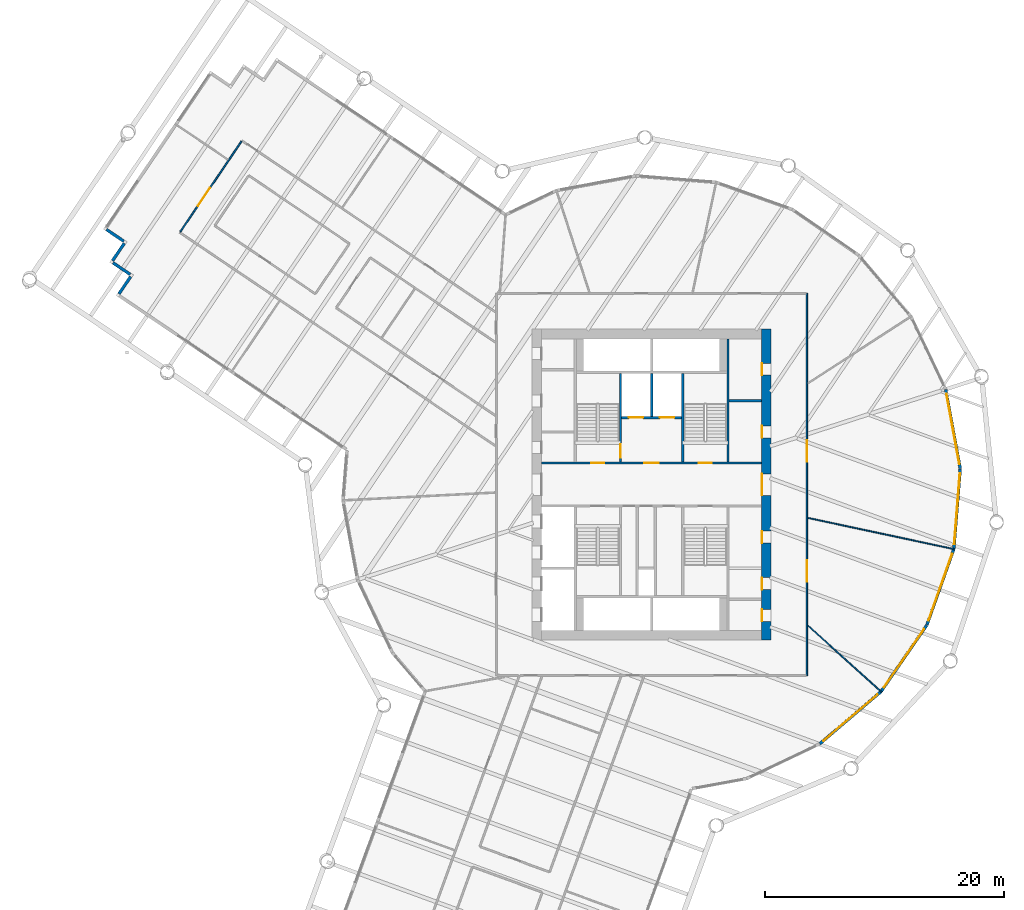
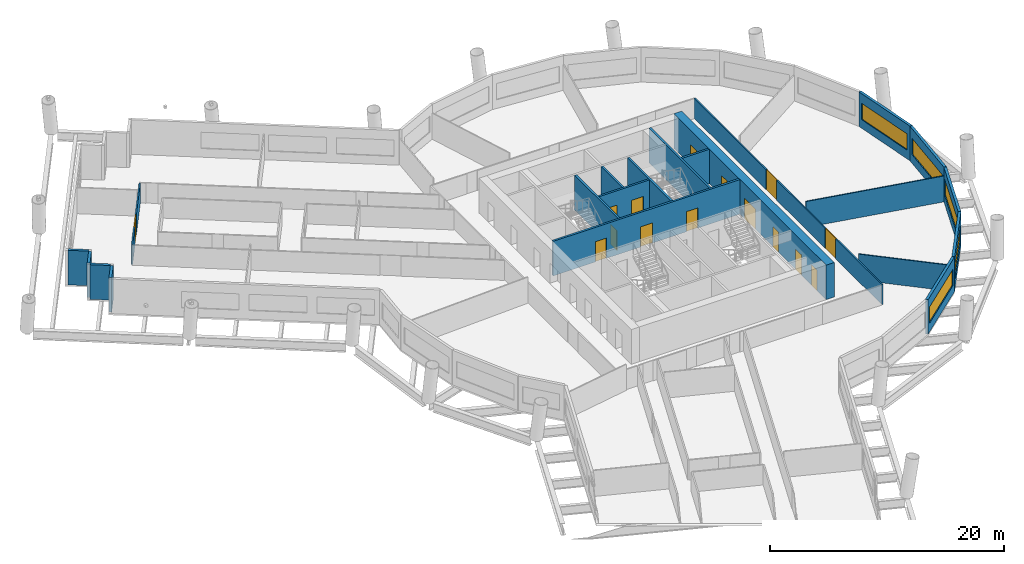
# One storey, part 5 of 13: 21 walls, 15 doors, 5 windows, 20 openings.
"""IFC4 building model written with IfcOpenShell, lengths in metres."""

from ifc_helpers import new_model, si_unit, direction, frame, frame_2d, origin, place, context, subcontext, project, spatial, rectangle, extrude, material, layer, layer_set, type_object, element, fill, save


model = new_model("IFC4")

# Units and contexts
model_context = context("Model", 3, precision=1e-05, world=origin(), true_north=direction((0.0, 1.0)))
body_context = subcontext(model_context, "Body", "Model", "MODEL_VIEW")
ifc_project = project(units=[si_unit("LENGTHUNIT", "METRE"), si_unit("AREAUNIT", "SQUARE_METRE"), si_unit("VOLUMEUNIT", "CUBIC_METRE"), si_unit("PLANEANGLEUNIT", "RADIAN"), si_unit("MASSUNIT", "GRAM", prefix="KILO")], contexts=[model_context])

# Site, building, storey
site_placement = place(None, origin())
site = spatial("IfcSite", under=ifc_project, at=site_placement, CompositionType="ELEMENT")
building_placement = place(site_placement, origin())
building = spatial("IfcBuilding", under=site, at=building_placement, Name="Tarsis Ring Headquarters", CompositionType="ELEMENT")
storey_placement = place(building_placement, frame((0.0, 0.0, 135.699951171875)))
storey = spatial("IfcBuildingStorey", under=building, at=storey_placement, Name="L31", CompositionType="ELEMENT", Elevation=135.699951171875)

# Wall
ifc_material_1 = material(Name="Blockwork", Category="masonry")
ifc_layer_1 = layer(ifc_material_1, 0.199951171875)
ifc_layer_set_1 = layer_set([ifc_layer_1], Name="Core blockwork wall 200")
wall_type_1 = type_object("IfcWallType", Name="Core blockwork wall 200", PredefinedType="PARTITIONING", material=ifc_layer_set_1)
wall_1_placement = place(storey_placement, frame((6.5, 7.0, 0.0), z_axis=(0.0, 0.0, 1.0), x_axis=(1.0, 0.0, 0.0)))
element("IfcWall", 1, at=wall_1_placement, inside=storey, type_object=wall_type_1, Name="Core partition ED6", PredefinedType="PARTITIONING", context=body_context, shape_type="SweptSolid", body=[
    extrude(rectangle(XDim=2.699951171875, YDim=0.199951171875, at=frame_2d((1.35009765625, 0.0))), origin(), (0.0, 0.0, 1.0), 3.60009765625),
])

# Wall, openings, doors
ifc_material_2 = material(Name="Concrete C60/75", Category="concrete")
ifc_layer_2 = layer(ifc_material_2, 0.800048828125)
ifc_layer_set_2 = layer_set([ifc_layer_2], Name="Core wall 800 C60/75")
wall_type_2 = type_object("IfcWallType", Name="Core wall 800 C60/75", PredefinedType="SHEAR", material=ifc_layer_set_2)
wall_2_placement = place(storey_placement, frame((9.60009765625, -13.0, 0.0), z_axis=(0.0, 0.0, 1.0), x_axis=(0.0, 1.0, 0.0)))
wall_2 = element("IfcWall", 2, at=wall_2_placement, inside=storey, type_object=wall_type_2, Name="Core wall OE", PredefinedType="SHEAR", context=body_context, shape_type="SweptSolid", body=[
    extrude(rectangle(XDim=26.0, YDim=0.800048828125, at=frame_2d((13.0, 0.0))), origin(), (0.0, 0.0, 1.0), 3.60009765625),
])
opening_1_placement = place(wall_2_placement, frame((1.550048828125, 0.0, 0.0)))
opening_1 = element("IfcOpeningElement", 3, at=opening_1_placement, cuts=wall_2, Name="Opening L31-C09", PredefinedType="OPENING", context=body_context, shape_type="SweptSolid", body=[
    extrude(rectangle(XDim=1.0, YDim=2.10009765625, at=frame_2d((0.5, 1.050048828125))), frame((0.0, 0.409912109375, 0.0), z_axis=(0.0, -1.0, 0.0), x_axis=(1.0, 0.0, 0.0)), (0.0, 0.0, 1.0), 0.820068359375),
])
opening_2_placement = place(wall_2_placement, frame((4.199951171875, 0.0, 0.0)))
opening_2 = element("IfcOpeningElement", 4, at=opening_2_placement, cuts=wall_2, Name="Opening L31-C10", PredefinedType="OPENING", context=body_context, shape_type="SweptSolid", body=[
    extrude(rectangle(XDim=1.0, YDim=2.10009765625, at=frame_2d((0.5, 1.050048828125))), frame((0.0, 0.409912109375, 0.0), z_axis=(0.0, -1.0, 0.0), x_axis=(1.0, 0.0, 0.0)), (0.0, 0.0, 1.0), 0.820068359375),
])
opening_3_placement = place(wall_2_placement, frame((8.10009765625, 0.0, 0.0)))
opening_3 = element("IfcOpeningElement", 5, at=opening_3_placement, cuts=wall_2, Name="Opening L31-C11", PredefinedType="OPENING", context=body_context, shape_type="SweptSolid", body=[
    extrude(rectangle(XDim=1.0, YDim=2.10009765625, at=frame_2d((0.5, 1.050048828125))), frame((0.0, 0.409912109375, 0.0), z_axis=(0.0, -1.0, 0.0), x_axis=(1.0, 0.0, 0.0)), (0.0, 0.0, 1.0), 0.820068359375),
])
opening_4_placement = place(wall_2_placement, frame((12.10009765625, 0.0, 0.0)))
opening_4 = element("IfcOpeningElement", 6, at=opening_4_placement, cuts=wall_2, Name="Opening L31-C12", PredefinedType="OPENING", context=body_context, shape_type="SweptSolid", body=[
    extrude(rectangle(XDim=1.800048828125, YDim=2.10009765625, at=frame_2d((0.89990234375, 1.050048828125))), frame((0.0, 0.409912109375, 0.0), z_axis=(0.0, -1.0, 0.0), x_axis=(1.0, 0.0, 0.0)), (0.0, 0.0, 1.0), 0.820068359375),
])
opening_5_placement = place(wall_2_placement, frame((16.89990234375, 0.0, 0.0)))
opening_5 = element("IfcOpeningElement", 7, at=opening_5_placement, cuts=wall_2, Name="Opening L31-C13", PredefinedType="OPENING", context=body_context, shape_type="SweptSolid", body=[
    extrude(rectangle(XDim=1.0, YDim=2.10009765625, at=frame_2d((0.5, 1.050048828125))), frame((0.0, 0.409912109375, 0.0), z_axis=(0.0, -1.0, 0.0), x_axis=(1.0, 0.0, 0.0)), (0.0, 0.0, 1.0), 0.820068359375),
])
opening_6_placement = place(wall_2_placement, frame((22.14990234375, 0.0, 0.0)))
opening_6 = element("IfcOpeningElement", 8, at=opening_6_placement, cuts=wall_2, Name="Opening L31-C14", PredefinedType="OPENING", context=body_context, shape_type="SweptSolid", body=[
    extrude(rectangle(XDim=1.0, YDim=2.10009765625, at=frame_2d((0.5, 1.050048828125))), frame((0.0, 0.409912109375, 0.0), z_axis=(0.0, -1.0, 0.0), x_axis=(1.0, 0.0, 0.0)), (0.0, 0.0, 1.0), 0.820068359375),
])
ifc_material_3 = material(Name="Steel S355", Category="steel")
door_type_1 = type_object("IfcDoorType", Name="Core entry door 1800x2100", OperationType="DOUBLE_DOOR_SINGLE_SWING", PredefinedType="DOOR", material=ifc_material_3)
door_1_placement = place(opening_4_placement, origin())
door_1 = element("IfcDoor", 9, at=door_1_placement, inside=storey, type_object=door_type_1, Name="Core entry door L31", OperationType="DOUBLE_DOOR_SINGLE_SWING", OverallHeight=2.10009765625, OverallWidth=1.800048828125, PredefinedType="DOOR", context=body_context, shape_type="SweptSolid", body=[
    extrude(rectangle(XDim=1.800048828125, YDim=2.10009765625, at=frame_2d((0.89990234375, 1.050048828125))), frame((0.0, 0.39990234375, 0.0), z_axis=(0.0, -1.0, 0.0), x_axis=(1.0, 0.0, 0.0)), (0.0, 0.0, 1.0), 0.050048828125),
])
fill(opening_4, door_1)
door_type_2 = type_object("IfcDoorType", Name="Core room door 1000x2100", OperationType="SINGLE_SWING_LEFT", PredefinedType="DOOR", material=ifc_material_3)
door_2_placement = place(opening_1_placement, origin())
door_2 = element("IfcDoor", 10, at=door_2_placement, inside=storey, type_object=door_type_2, Name="Core room door L31", OperationType="SINGLE_SWING_LEFT", OverallHeight=2.10009765625, OverallWidth=1.0, PredefinedType="DOOR", context=body_context, shape_type="SweptSolid", body=[
    extrude(rectangle(XDim=1.0, YDim=2.10009765625, at=frame_2d((0.5, 1.050048828125))), frame((0.0, 0.39990234375, 0.0), z_axis=(0.0, -1.0, 0.0), x_axis=(1.0, 0.0, 0.0)), (0.0, 0.0, 1.0), 0.050048828125),
])
fill(opening_1, door_2)
door_3_placement = place(opening_2_placement, origin())
door_3 = element("IfcDoor", 11, at=door_3_placement, inside=storey, type_object=door_type_2, Name="Core room door L31", OperationType="SINGLE_SWING_LEFT", OverallHeight=2.10009765625, OverallWidth=1.0, PredefinedType="DOOR", context=body_context, shape_type="SweptSolid", body=[
    extrude(rectangle(XDim=1.0, YDim=2.10009765625, at=frame_2d((0.5, 1.050048828125))), frame((0.0, 0.39990234375, 0.0), z_axis=(0.0, -1.0, 0.0), x_axis=(1.0, 0.0, 0.0)), (0.0, 0.0, 1.0), 0.050048828125),
])
fill(opening_2, door_3)
door_4_placement = place(opening_3_placement, origin())
door_4 = element("IfcDoor", 12, at=door_4_placement, inside=storey, type_object=door_type_2, Name="Core room door L31", OperationType="SINGLE_SWING_LEFT", OverallHeight=2.10009765625, OverallWidth=1.0, PredefinedType="DOOR", context=body_context, shape_type="SweptSolid", body=[
    extrude(rectangle(XDim=1.0, YDim=2.10009765625, at=frame_2d((0.5, 1.050048828125))), frame((0.0, 0.39990234375, 0.0), z_axis=(0.0, -1.0, 0.0), x_axis=(1.0, 0.0, 0.0)), (0.0, 0.0, 1.0), 0.050048828125),
])
fill(opening_3, door_4)
door_5_placement = place(opening_5_placement, origin())
door_5 = element("IfcDoor", 13, at=door_5_placement, inside=storey, type_object=door_type_2, Name="Core room door L31", OperationType="SINGLE_SWING_LEFT", OverallHeight=2.10009765625, OverallWidth=1.0, PredefinedType="DOOR", context=body_context, shape_type="SweptSolid", body=[
    extrude(rectangle(XDim=1.0, YDim=2.10009765625, at=frame_2d((0.5, 1.050048828125))), frame((0.0, 0.39990234375, 0.0), z_axis=(0.0, -1.0, 0.0), x_axis=(1.0, 0.0, 0.0)), (0.0, 0.0, 1.0), 0.050048828125),
])
fill(opening_5, door_5)
door_6_placement = place(opening_6_placement, origin())
door_6 = element("IfcDoor", 14, at=door_6_placement, inside=storey, type_object=door_type_2, Name="Core room door L31", OperationType="SINGLE_SWING_LEFT", OverallHeight=2.10009765625, OverallWidth=1.0, PredefinedType="DOOR", context=body_context, shape_type="SweptSolid", body=[
    extrude(rectangle(XDim=1.0, YDim=2.10009765625, at=frame_2d((0.5, 1.050048828125))), frame((0.0, 0.39990234375, 0.0), z_axis=(0.0, -1.0, 0.0), x_axis=(1.0, 0.0, 0.0)), (0.0, 0.0, 1.0), 0.050048828125),
])
fill(opening_6, door_6)

# Walls
ifc_material_4 = material(Name="Gypsum board on steel studs", Category="steel")
ifc_layer_3 = layer(ifc_material_4, 0.10009765625)
ifc_layer_set_3 = layer_set([ifc_layer_3], Name="FL partition 100 unrated")
wall_type_3 = type_object("IfcWallType", Name="FL partition 100 unrated", PredefinedType="PARTITIONING", material=ifc_layer_set_3)
wall_3_placement = place(storey_placement, frame((13.068603515625, -2.7919921875, 0.0), z_axis=(0.0, 0.0, 1.0), x_axis=(0.977928291499, -0.208940797085, 0.0)))
element("IfcWall", 15, at=wall_3_placement, inside=storey, type_object=wall_type_3, Name="Partition PW3", PredefinedType="PARTITIONING", context=body_context, shape_type="SweptSolid", body=[
    extrude(rectangle(XDim=12.58447265625, YDim=0.10009765625, at=frame_2d((6.292236328125, 0.0))), origin(), (0.0, 0.0, 1.0), 2.699951171875),
])
wall_4_placement = place(storey_placement, frame((13.089111328125, -11.810302734375, 0.0), z_axis=(0.0, 0.0, 1.0), x_axis=(0.742438334148, -0.669914412434, 0.0)))
element("IfcWall", 16, at=wall_4_placement, inside=storey, type_object=wall_type_3, Name="Partition PW3", PredefinedType="PARTITIONING", context=body_context, shape_type="SweptSolid", body=[
    extrude(rectangle(XDim=8.318359375, YDim=0.10009765625, at=frame_2d((4.1591796875, 0.0))), origin(), (0.0, 0.0, 1.0), 2.699951171875),
])

# Wall, openings, doors
ifc_layer_4 = layer(ifc_material_4, 0.125)
ifc_layer_set_4 = layer_set([ifc_layer_4], Name="FL partition 125 EI 60 H2080")
wall_type_4 = type_object("IfcWallType", Name="FL partition 125 EI 60 H2080", PredefinedType="PARTITIONING", material=ifc_layer_set_4)
wall_5_placement = place(storey_placement, frame((13.0, -15.998046875, 0.0), z_axis=(0.0, 0.0, 1.0), x_axis=(0.0, 1.0, 0.0)))
wall_5 = element("IfcWall", 17, at=wall_5_placement, inside=storey, type_object=wall_type_4, Name="Partition PW1H208", PredefinedType="PARTITIONING", context=body_context, shape_type="SweptSolid", body=[
    extrude(rectangle(XDim=31.998046875, YDim=0.125, at=frame_2d((15.9990234375, 0.0))), origin(), (0.0, 0.0, 1.0), 2.080078125),
])
opening_7_placement = place(wall_5_placement, frame((17.920654296875, 0.0, 0.0)))
opening_7 = element("IfcOpeningElement", 18, at=opening_7_placement, cuts=wall_5, Name="Opening D31.07", PredefinedType="OPENING", context=body_context, shape_type="SweptSolid", body=[
    extrude(rectangle(XDim=1.800048828125, YDim=2.10009765625, at=frame_2d((0.89990234375, 1.050048828125))), frame((0.0, 0.072509765625, 0.0), z_axis=(0.0, -1.0, 0.0), x_axis=(1.0, 0.0, 0.0)), (0.0, 0.0, 1.0), 0.14501953125),
])
opening_8_placement = place(wall_5_placement, frame((7.84423828125, 0.0, 0.0)))
opening_8 = element("IfcOpeningElement", 19, at=opening_8_placement, cuts=wall_5, Name="Opening D31.08", PredefinedType="OPENING", context=body_context, shape_type="SweptSolid", body=[
    extrude(rectangle(XDim=1.800048828125, YDim=2.10009765625, at=frame_2d((0.89990234375, 1.050048828125))), frame((0.0, 0.072509765625, 0.0), z_axis=(0.0, -1.0, 0.0), x_axis=(1.0, 0.0, 0.0)), (0.0, 0.0, 1.0), 0.14501953125),
])
ifc_material_5 = material(Name="Fire-rated timber door leaf in steel frame", Category="steel")
door_type_3 = type_object("IfcDoorType", Name="FL door FD60-1800", OperationType="DOUBLE_DOOR_SINGLE_SWING", PredefinedType="DOOR", material=ifc_material_5)
door_7_placement = place(opening_7_placement, origin())
door_7 = element("IfcDoor", 20, at=door_7_placement, inside=storey, type_object=door_type_3, Name="Door D31.07", OperationType="DOUBLE_DOOR_SINGLE_SWING", OverallHeight=2.10009765625, OverallWidth=1.800048828125, PredefinedType="DOOR", context=body_context, shape_type="SweptSolid", body=[
    extrude(rectangle(XDim=1.800048828125, YDim=2.10009765625, at=frame_2d((0.89990234375, 1.050048828125))), frame((0.0, 0.02490234375, 0.0), z_axis=(0.0, -1.0, 0.0), x_axis=(1.0, 0.0, 0.0)), (0.0, 0.0, 1.0), 0.050048828125),
])
fill(opening_7, door_7)
door_8_placement = place(opening_8_placement, origin())
door_8 = element("IfcDoor", 21, at=door_8_placement, inside=storey, type_object=door_type_3, Name="Door D31.08", OperationType="DOUBLE_DOOR_SINGLE_SWING", OverallHeight=2.10009765625, OverallWidth=1.800048828125, PredefinedType="DOOR", context=body_context, shape_type="SweptSolid", body=[
    extrude(rectangle(XDim=1.800048828125, YDim=2.10009765625, at=frame_2d((0.89990234375, 1.050048828125))), frame((0.0, 0.02490234375, 0.0), z_axis=(0.0, -1.0, 0.0), x_axis=(1.0, 0.0, 0.0)), (0.0, 0.0, 1.0), 0.050048828125),
])
fill(opening_8, door_8)

# Wall, opening, door
wall_6_placement = place(storey_placement, frame((-39.4560546875, 21.145263671875, 0.0), z_axis=(0.0, 0.0, 1.0), x_axis=(0.560058187435, 0.82845327369, 0.0)))
wall_6 = element("IfcWall", 22, at=wall_6_placement, inside=storey, type_object=wall_type_4, Name="Partition PW1H208", PredefinedType="PARTITIONING", context=body_context, shape_type="SweptSolid", body=[
    extrude(rectangle(XDim=9.159912109375, YDim=0.125, at=frame_2d((4.580078125, 0.0))), origin(), (0.0, 0.0, 1.0), 2.080078125),
])
opening_9_placement = place(wall_6_placement, frame((2.6298828125, 0.0, 0.0)))
opening_9 = element("IfcOpeningElement", 23, at=opening_9_placement, cuts=wall_6, Name="Opening D31.01", PredefinedType="OPENING", context=body_context, shape_type="SweptSolid", body=[
    extrude(rectangle(XDim=1.800048828125, YDim=2.10009765625, at=frame_2d((0.89990234375, 1.050048828125))), frame((0.0, 0.072509765625, 0.0), z_axis=(0.0, -1.0, 0.0), x_axis=(1.0, 0.0, 0.0)), (0.0, 0.0, 1.0), 0.14501953125),
])
door_9_placement = place(opening_9_placement, origin())
door_9 = element("IfcDoor", 24, at=door_9_placement, inside=storey, type_object=door_type_3, Name="Door D31.01", OperationType="DOUBLE_DOOR_SINGLE_SWING", OverallHeight=2.10009765625, OverallWidth=1.800048828125, PredefinedType="DOOR", context=body_context, shape_type="SweptSolid", body=[
    extrude(rectangle(XDim=1.800048828125, YDim=2.10009765625, at=frame_2d((0.89990234375, 1.050048828125))), frame((0.0, 0.02490234375, 0.0), z_axis=(0.0, -1.0, 0.0), x_axis=(1.0, 0.0, 0.0)), (0.0, 0.0, 1.0), 0.050048828125),
])
fill(opening_9, door_9)

# Wall, opening, window
ifc_material_6 = material(Name="Terracotta clad insulated panel wall", Category="masonry")
ifc_layer_5 = layer(ifc_material_6, 0.25)
ifc_layer_set_5 = layer_set([ifc_layer_5], Name="Facade wall terracotta panel 250")
wall_type_5 = type_object("IfcWallType", Name="Facade wall terracotta panel 250", PredefinedType="STANDARD", material=ifc_layer_set_5)
wall_7_placement = place(storey_placement, frame((14.081787109375, -21.703857421875, 0.0), z_axis=(0.0, 0.0, 1.0), x_axis=(0.761076525796, 0.648662101469, 0.0)))
wall_7 = element("IfcWall", 25, at=wall_7_placement, inside=storey, type_object=wall_type_5, Name="External wall L31-19", PredefinedType="STANDARD", context=body_context, shape_type="SweptSolid", body=[
    extrude(rectangle(XDim=6.7216796875, YDim=0.25, at=frame_2d((3.36083984375, 0.0))), origin(), (0.0, 0.0, 1.0), 3.60009765625),
])
opening_10_placement = place(wall_7_placement, frame((0.3857421875, 0.0, 0.89990234375)))
opening_10 = element("IfcOpeningElement", 26, at=opening_10_placement, cuts=wall_7, Name="Opening WN07", PredefinedType="OPENING", context=body_context, shape_type="SweptSolid", body=[
    extrude(rectangle(XDim=5.949951171875, YDim=1.699951171875, at=frame_2d((2.97509765625, 0.85009765625))), frame((0.0, 0.135009765625, 0.0), z_axis=(0.0, -1.0, 0.0), x_axis=(1.0, 0.0, 0.0)), (0.0, 0.0, 1.0), 0.27001953125),
])
ifc_material_7 = material(Name="Aluminium framed double glazing", Category="aluminium")
window_type = type_object("IfcWindowType", Name="Facade window 5950 x 1700", PartitioningType="SINGLE_PANEL", PredefinedType="WINDOW", material=ifc_material_7)
window_1_placement = place(opening_10_placement, origin())
window_1 = element("IfcWindow", 27, at=window_1_placement, inside=storey, type_object=window_type, Name="Window L31-19.1", OverallHeight=1.699951171875, OverallWidth=5.949951171875, PartitioningType="SINGLE_PANEL", PredefinedType="WINDOW", context=body_context, shape_type="SweptSolid", body=[
    extrude(rectangle(XDim=5.949951171875, YDim=1.699951171875, at=frame_2d((2.97509765625, 0.85009765625))), frame((0.0, 0.030029296875, 0.0), z_axis=(0.0, -1.0, 0.0), x_axis=(1.0, 0.0, 0.0)), (0.0, 0.0, 1.0), 0.06005859375),
])
fill(opening_10, window_1)

wall_8_placement = place(storey_placement, frame((19.21923828125, -17.319580078125, 0.0), z_axis=(0.0, 0.0, 1.0), x_axis=(0.567276224562, 0.823527586087, 0.0)))
wall_8 = element("IfcWall", 28, at=wall_8_placement, inside=storey, type_object=wall_type_5, Name="External wall L31-20", PredefinedType="STANDARD", context=body_context, shape_type="SweptSolid", body=[
    extrude(rectangle(XDim=6.7216796875, YDim=0.25, at=frame_2d((3.36083984375, 0.0))), origin(), (0.0, 0.0, 1.0), 3.60009765625),
])
opening_11_placement = place(wall_8_placement, frame((0.3857421875, 0.0, 0.89990234375)))
opening_11 = element("IfcOpeningElement", 29, at=opening_11_placement, cuts=wall_8, Name="Opening WN07", PredefinedType="OPENING", context=body_context, shape_type="SweptSolid", body=[
    extrude(rectangle(XDim=5.949951171875, YDim=1.699951171875, at=frame_2d((2.97509765625, 0.85009765625))), frame((0.0, 0.135009765625, 0.0), z_axis=(0.0, -1.0, 0.0), x_axis=(1.0, 0.0, 0.0)), (0.0, 0.0, 1.0), 0.27001953125),
])
window_2_placement = place(opening_11_placement, origin())
window_2 = element("IfcWindow", 30, at=window_2_placement, inside=storey, type_object=window_type, Name="Window L31-20.1", OverallHeight=1.699951171875, OverallWidth=5.949951171875, PartitioningType="SINGLE_PANEL", PredefinedType="WINDOW", context=body_context, shape_type="SweptSolid", body=[
    extrude(rectangle(XDim=5.949951171875, YDim=1.699951171875, at=frame_2d((2.97509765625, 0.85009765625))), frame((0.0, 0.030029296875, 0.0), z_axis=(0.0, -1.0, 0.0), x_axis=(1.0, 0.0, 0.0)), (0.0, 0.0, 1.0), 0.06005859375),
])
fill(opening_11, window_2)

wall_9_placement = place(storey_placement, frame((23.047119140625, -11.755126953125, 0.0), z_axis=(0.0, 0.0, 1.0), x_axis=(0.334778207463, 0.942296955215, 0.0)))
wall_9 = element("IfcWall", 31, at=wall_9_placement, inside=storey, type_object=wall_type_5, Name="External wall L31-21", PredefinedType="STANDARD", context=body_context, shape_type="SweptSolid", body=[
    extrude(rectangle(XDim=6.7216796875, YDim=0.25, at=frame_2d((3.36083984375, 0.0))), origin(), (0.0, 0.0, 1.0), 3.60009765625),
])
opening_12_placement = place(wall_9_placement, frame((0.3857421875, 0.0, 0.89990234375)))
opening_12 = element("IfcOpeningElement", 32, at=opening_12_placement, cuts=wall_9, Name="Opening WN07", PredefinedType="OPENING", context=body_context, shape_type="SweptSolid", body=[
    extrude(rectangle(XDim=5.949951171875, YDim=1.699951171875, at=frame_2d((2.97509765625, 0.85009765625))), frame((0.0, 0.135009765625, 0.0), z_axis=(0.0, -1.0, 0.0), x_axis=(1.0, 0.0, 0.0)), (0.0, 0.0, 1.0), 0.27001953125),
])
window_3_placement = place(opening_12_placement, origin())
window_3 = element("IfcWindow", 33, at=window_3_placement, inside=storey, type_object=window_type, Name="Window L31-21.1", OverallHeight=1.699951171875, OverallWidth=5.949951171875, PartitioningType="SINGLE_PANEL", PredefinedType="WINDOW", context=body_context, shape_type="SweptSolid", body=[
    extrude(rectangle(XDim=5.949951171875, YDim=1.699951171875, at=frame_2d((2.97509765625, 0.85009765625))), frame((0.0, 0.030029296875, 0.0), z_axis=(0.0, -1.0, 0.0), x_axis=(1.0, 0.0, 0.0)), (0.0, 0.0, 1.0), 0.06005859375),
])
fill(opening_12, window_3)

wall_10_placement = place(storey_placement, frame((25.30419921875, -5.3896484375, 0.0), z_axis=(0.0, 0.0, 1.0), x_axis=(0.079507024783, 0.996834305695, 0.0)))
wall_10 = element("IfcWall", 34, at=wall_10_placement, inside=storey, type_object=wall_type_5, Name="External wall L31-22", PredefinedType="STANDARD", context=body_context, shape_type="SweptSolid", body=[
    extrude(rectangle(XDim=6.7216796875, YDim=0.25, at=frame_2d((3.36083984375, 0.0))), origin(), (0.0, 0.0, 1.0), 3.60009765625),
])
opening_13_placement = place(wall_10_placement, frame((0.3857421875, 0.0, 0.89990234375)))
opening_13 = element("IfcOpeningElement", 35, at=opening_13_placement, cuts=wall_10, Name="Opening WN07", PredefinedType="OPENING", context=body_context, shape_type="SweptSolid", body=[
    extrude(rectangle(XDim=5.949951171875, YDim=1.699951171875, at=frame_2d((2.97509765625, 0.85009765625))), frame((0.0, 0.135009765625, 0.0), z_axis=(0.0, -1.0, 0.0), x_axis=(1.0, 0.0, 0.0)), (0.0, 0.0, 1.0), 0.27001953125),
])
window_4_placement = place(opening_13_placement, origin())
window_4 = element("IfcWindow", 36, at=window_4_placement, inside=storey, type_object=window_type, Name="Window L31-22.1", OverallHeight=1.699951171875, OverallWidth=5.949951171875, PartitioningType="SINGLE_PANEL", PredefinedType="WINDOW", context=body_context, shape_type="SweptSolid", body=[
    extrude(rectangle(XDim=5.949951171875, YDim=1.699951171875, at=frame_2d((2.97509765625, 0.85009765625))), frame((0.0, 0.030029296875, 0.0), z_axis=(0.0, -1.0, 0.0), x_axis=(1.0, 0.0, 0.0)), (0.0, 0.0, 1.0), 0.06005859375),
])
fill(opening_13, window_4)

wall_11_placement = place(storey_placement, frame((25.8369140625, 1.34326171875, 0.0), z_axis=(0.0, 0.0, 1.0), x_axis=(-0.181208652393, 0.983444672718, 0.0)))
wall_11 = element("IfcWall", 37, at=wall_11_placement, inside=storey, type_object=wall_type_5, Name="External wall L31-23", PredefinedType="STANDARD", context=body_context, shape_type="SweptSolid", body=[
    extrude(rectangle(XDim=6.7216796875, YDim=0.25, at=frame_2d((3.36083984375, 0.0))), origin(), (0.0, 0.0, 1.0), 3.60009765625),
])
opening_14_placement = place(wall_11_placement, frame((0.3857421875, 0.0, 0.89990234375)))
opening_14 = element("IfcOpeningElement", 38, at=opening_14_placement, cuts=wall_11, Name="Opening WN07", PredefinedType="OPENING", context=body_context, shape_type="SweptSolid", body=[
    extrude(rectangle(XDim=5.949951171875, YDim=1.699951171875, at=frame_2d((2.97509765625, 0.85009765625))), frame((0.0, 0.135009765625, 0.0), z_axis=(0.0, -1.0, 0.0), x_axis=(1.0, 0.0, 0.0)), (0.0, 0.0, 1.0), 0.27001953125),
])
window_5_placement = place(opening_14_placement, origin())
window_5 = element("IfcWindow", 39, at=window_5_placement, inside=storey, type_object=window_type, Name="Window L31-23.1", OverallHeight=1.699951171875, OverallWidth=5.949951171875, PartitioningType="SINGLE_PANEL", PredefinedType="WINDOW", context=body_context, shape_type="SweptSolid", body=[
    extrude(rectangle(XDim=5.949951171875, YDim=1.699951171875, at=frame_2d((2.97509765625, 0.85009765625))), frame((0.0, 0.030029296875, 0.0), z_axis=(0.0, -1.0, 0.0), x_axis=(1.0, 0.0, 0.0)), (0.0, 0.0, 1.0), 0.06005859375),
])
fill(opening_14, window_5)

# Walls
wall_12_placement = place(storey_placement, frame((-45.6259765625, 21.3388671875, 0.0), z_axis=(0.0, 0.0, 1.0), x_axis=(0.828470001109, -0.560033442986, 0.0)))
element("IfcWall", 40, at=wall_12_placement, inside=storey, type_object=wall_type_5, Name="External wall L31-37", PredefinedType="STANDARD", context=body_context, shape_type="SweptSolid", body=[
    extrude(rectangle(XDim=1.749755859375, YDim=0.25, at=frame_2d((0.875, 0.0))), origin(), (0.0, 0.0, 1.0), 3.60009765625),
])
for number, where, z_axis, x_axis, name in (
    (41, (-44.142578125, 20.185302734375, 0.0), (0.0, 0.0, 1.0), (-0.560129193093, -0.828405267393, 0.0), "External wall L31-38"),
    (42, (-45.089111328125, 18.56201171875, 0.0), (0.0, 0.0, 1.0), (0.828405267393, -0.560129193093, 0.0), "External wall L31-39"),
    (43, (-43.605712890625, 17.408203125, 0.0), (0.0, 0.0, 1.0), (-0.560129193093, -0.828405267393, 0.0), "External wall L31-40"),
):
    element("IfcWall", number, at=place(storey_placement, frame(where, z_axis=z_axis, x_axis=x_axis)), inside=storey, type_object=wall_type_5, Name=name, PredefinedType="STANDARD", context=body_context, shape_type="SweptSolid", body=[
        extrude(rectangle(XDim=1.75, YDim=0.25, at=frame_2d((0.875, 0.0))), origin(), (0.0, 0.0, 1.0), 3.60009765625),
    ])

# Wall, openings, doors
ifc_material_8 = material(Name="Concrete C32/40", Category="concrete")
ifc_layer_6 = layer(ifc_material_8, 0.199951171875)
ifc_layer_set_6 = layer_set([ifc_layer_6], Name="Shaft wall 200 C32/40")
wall_type_6 = type_object("IfcWallType", Name="Shaft wall 200 C32/40", PredefinedType="SOLIDWALL", material=ifc_layer_set_6)
wall_13_placement = place(storey_placement, frame((-9.199951171875, 1.800048828125, 0.0), z_axis=(0.0, 0.0, 1.0), x_axis=(1.0, 0.0, 0.0)))
wall_13 = element("IfcWall", 44, at=wall_13_placement, inside=storey, type_object=wall_type_6, Name="Core shaft wall CN", PredefinedType="SOLIDWALL", context=body_context, shape_type="SweptSolid", body=[
    extrude(rectangle(XDim=18.39990234375, YDim=0.199951171875, at=frame_2d((9.199951171875, 0.0))), origin(), (0.0, 0.0, 1.0), 3.60009765625),
])
opening_15_placement = place(wall_13_placement, frame((4.14990234375, 0.0, 0.0)))
opening_15 = element("IfcOpeningElement", 45, at=opening_15_placement, cuts=wall_13, Name="Opening L31-C15", PredefinedType="OPENING", context=body_context, shape_type="SweptSolid", body=[
    extrude(rectangle(XDim=1.10009765625, YDim=2.10009765625, at=frame_2d((0.550048828125, 1.050048828125))), frame((0.0, 0.10986328125, 0.0), z_axis=(0.0, -1.0, 0.0), x_axis=(1.0, 0.0, 0.0)), (0.0, 0.0, 1.0), 0.219970703125),
])
opening_16_placement = place(wall_13_placement, frame((8.60009765625, 0.0, 0.0)))
opening_16 = element("IfcOpeningElement", 46, at=opening_16_placement, cuts=wall_13, Name="Opening L31-C16", PredefinedType="OPENING", context=body_context, shape_type="SweptSolid", body=[
    extrude(rectangle(XDim=1.199951171875, YDim=2.10009765625, at=frame_2d((0.60009765625, 1.050048828125))), frame((0.0, 0.10986328125, 0.0), z_axis=(0.0, -1.0, 0.0), x_axis=(1.0, 0.0, 0.0)), (0.0, 0.0, 1.0), 0.219970703125),
])
opening_17_placement = place(wall_13_placement, frame((13.14990234375, 0.0, 0.0)))
opening_17 = element("IfcOpeningElement", 47, at=opening_17_placement, cuts=wall_13, Name="Opening L31-C17", PredefinedType="OPENING", context=body_context, shape_type="SweptSolid", body=[
    extrude(rectangle(XDim=1.10009765625, YDim=2.10009765625, at=frame_2d((0.550048828125, 1.050048828125))), frame((0.0, 0.10986328125, 0.0), z_axis=(0.0, -1.0, 0.0), x_axis=(1.0, 0.0, 0.0)), (0.0, 0.0, 1.0), 0.219970703125),
])
door_type_4 = type_object("IfcDoorType", Name="Firefighting lobby door 1200x2100", OperationType="DOUBLE_DOOR_SINGLE_SWING", PredefinedType="DOOR", material=ifc_material_3)
door_10_placement = place(opening_16_placement, origin())
door_10 = element("IfcDoor", 48, at=door_10_placement, inside=storey, type_object=door_type_4, Name="Firefighting lobby door L31", OperationType="DOUBLE_DOOR_SINGLE_SWING", OverallHeight=2.10009765625, OverallWidth=1.199951171875, PredefinedType="DOOR", context=body_context, shape_type="SweptSolid", body=[
    extrude(rectangle(XDim=1.199951171875, YDim=2.10009765625, at=frame_2d((0.60009765625, 1.050048828125))), frame((0.0, 0.02490234375, 0.0), z_axis=(0.0, -1.0, 0.0), x_axis=(1.0, 0.0, 0.0)), (0.0, 0.0, 1.0), 0.050048828125),
])
fill(opening_16, door_10)
door_type_5 = type_object("IfcDoorType", Name="Stair door 1100x2100", OperationType="SINGLE_SWING_LEFT", PredefinedType="DOOR", material=ifc_material_3)
door_11_placement = place(opening_15_placement, origin())
door_11 = element("IfcDoor", 49, at=door_11_placement, inside=storey, type_object=door_type_5, Name="Stair door L31", OperationType="SINGLE_SWING_LEFT", OverallHeight=2.10009765625, OverallWidth=1.10009765625, PredefinedType="DOOR", context=body_context, shape_type="SweptSolid", body=[
    extrude(rectangle(XDim=1.10009765625, YDim=2.10009765625, at=frame_2d((0.550048828125, 1.050048828125))), frame((0.0, 0.02490234375, 0.0), z_axis=(0.0, -1.0, 0.0), x_axis=(1.0, 0.0, 0.0)), (0.0, 0.0, 1.0), 0.050048828125),
])
fill(opening_15, door_11)
door_12_placement = place(opening_17_placement, origin())
door_12 = element("IfcDoor", 50, at=door_12_placement, inside=storey, type_object=door_type_5, Name="Stair door L31", OperationType="SINGLE_SWING_LEFT", OverallHeight=2.10009765625, OverallWidth=1.10009765625, PredefinedType="DOOR", context=body_context, shape_type="SweptSolid", body=[
    extrude(rectangle(XDim=1.10009765625, YDim=2.10009765625, at=frame_2d((0.550048828125, 1.050048828125))), frame((0.0, 0.02490234375, 0.0), z_axis=(0.0, -1.0, 0.0), x_axis=(1.0, 0.0, 0.0)), (0.0, 0.0, 1.0), 0.050048828125),
])
fill(opening_17, door_12)

# Wall
wall_14_placement = place(storey_placement, frame((6.39990234375, 1.89990234375, 0.0), z_axis=(0.0, 0.0, 1.0), x_axis=(0.0, 1.0, 0.0)))
element("IfcWall", 51, at=wall_14_placement, inside=storey, type_object=wall_type_6, Name="Core shaft wall EB2", PredefinedType="SOLIDWALL", context=body_context, shape_type="SweptSolid", body=[
    extrude(rectangle(XDim=10.300048828125, YDim=0.199951171875, at=frame_2d((5.14990234375, 0.0))), origin(), (0.0, 0.0, 1.0), 3.60009765625),
])

# Wall, opening, door
wall_15_placement = place(storey_placement, frame((-2.60009765625, 1.89990234375, 0.0), z_axis=(0.0, 0.0, 1.0), x_axis=(0.0, 1.0, 0.0)))
wall_15 = element("IfcWall", 52, at=wall_15_placement, inside=storey, type_object=wall_type_6, Name="Core shaft wall SW1", PredefinedType="SOLIDWALL", context=body_context, shape_type="SweptSolid", body=[
    extrude(rectangle(XDim=7.400146484375, YDim=0.199951171875, at=frame_2d((3.7001953125, 0.0))), origin(), (0.0, 0.0, 1.0), 3.60009765625),
])
opening_18_placement = place(wall_15_placement, frame((0.35009765625, 0.0, 0.0)))
opening_18 = element("IfcOpeningElement", 53, at=opening_18_placement, cuts=wall_15, Name="Opening L31-C23", PredefinedType="OPENING", context=body_context, shape_type="SweptSolid", body=[
    extrude(rectangle(XDim=1.10009765625, YDim=2.10009765625, at=frame_2d((0.550048828125, 1.050048828125))), frame((0.0, 0.10986328125, 0.0), z_axis=(0.0, -1.0, 0.0), x_axis=(1.0, 0.0, 0.0)), (0.0, 0.0, 1.0), 0.219970703125),
])
door_13_placement = place(opening_18_placement, origin())
door_13 = element("IfcDoor", 54, at=door_13_placement, inside=storey, type_object=door_type_5, Name="Stair door L31", OperationType="SINGLE_SWING_LEFT", OverallHeight=2.10009765625, OverallWidth=1.10009765625, PredefinedType="DOOR", context=body_context, shape_type="SweptSolid", body=[
    extrude(rectangle(XDim=1.10009765625, YDim=2.10009765625, at=frame_2d((0.550048828125, 1.050048828125))), frame((0.0, 0.02490234375, 0.0), z_axis=(0.0, -1.0, 0.0), x_axis=(1.0, 0.0, 0.0)), (0.0, 0.0, 1.0), 0.050048828125),
])
fill(opening_18, door_13)

# Wall
wall_16_placement = place(storey_placement, frame((2.60009765625, 1.89990234375, 0.0), z_axis=(0.0, 0.0, 1.0), x_axis=(0.0, 1.0, 0.0)))
element("IfcWall", 55, at=wall_16_placement, inside=storey, type_object=wall_type_6, Name="Core shaft wall SW2", PredefinedType="SOLIDWALL", context=body_context, shape_type="SweptSolid", body=[
    extrude(rectangle(XDim=7.400146484375, YDim=0.199951171875, at=frame_2d((3.7001953125, 0.0))), origin(), (0.0, 0.0, 1.0), 3.60009765625),
])

# Wall, openings, doors
wall_17_placement = place(storey_placement, frame((-2.5, 5.60009765625, 0.0), z_axis=(0.0, 0.0, 1.0), x_axis=(1.0, 0.0, 0.0)))
wall_17 = element("IfcWall", 56, at=wall_17_placement, inside=storey, type_object=wall_type_6, Name="Core shaft wall FFN", PredefinedType="SOLIDWALL", context=body_context, shape_type="SweptSolid", body=[
    extrude(rectangle(XDim=5.0, YDim=0.199951171875, at=frame_2d((2.5, 0.0))), origin(), (0.0, 0.0, 1.0), 3.60009765625),
])
opening_19_placement = place(wall_17_placement, frame((0.60009765625, 0.0, 0.0)))
opening_19 = element("IfcOpeningElement", 57, at=opening_19_placement, cuts=wall_17, Name="Opening LDF-1", PredefinedType="OPENING", context=body_context, shape_type="SweptSolid", body=[
    extrude(rectangle(XDim=1.199951171875, YDim=2.10009765625, at=frame_2d((0.60009765625, 1.050048828125))), frame((0.0, 0.10986328125, 0.0), z_axis=(0.0, -1.0, 0.0), x_axis=(1.0, 0.0, 0.0)), (0.0, 0.0, 1.0), 0.219970703125),
])
opening_20_placement = place(wall_17_placement, frame((3.199951171875, 0.0, 0.0)))
opening_20 = element("IfcOpeningElement", 58, at=opening_20_placement, cuts=wall_17, Name="Opening LDF-2", PredefinedType="OPENING", context=body_context, shape_type="SweptSolid", body=[
    extrude(rectangle(XDim=1.199951171875, YDim=2.10009765625, at=frame_2d((0.60009765625, 1.050048828125))), frame((0.0, 0.10986328125, 0.0), z_axis=(0.0, -1.0, 0.0), x_axis=(1.0, 0.0, 0.0)), (0.0, 0.0, 1.0), 0.219970703125),
])
door_type_6 = type_object("IfcDoorType", Name="Firefighting landing door 1200x2100", OperationType="SLIDING_TO_LEFT", PredefinedType="DOOR", material=ifc_material_3)
door_14_placement = place(opening_19_placement, origin())
door_14 = element("IfcDoor", 59, at=door_14_placement, inside=storey, type_object=door_type_6, Name="Landing door FF1 L31", OperationType="SLIDING_TO_LEFT", OverallHeight=2.10009765625, OverallWidth=1.199951171875, PredefinedType="DOOR", context=body_context, shape_type="SweptSolid", body=[
    extrude(rectangle(XDim=1.199951171875, YDim=2.10009765625, at=frame_2d((0.60009765625, 1.050048828125))), frame((0.0, 0.02490234375, 0.0), z_axis=(0.0, -1.0, 0.0), x_axis=(1.0, 0.0, 0.0)), (0.0, 0.0, 1.0), 0.050048828125),
])
fill(opening_19, door_14)
door_15_placement = place(opening_20_placement, origin())
door_15 = element("IfcDoor", 60, at=door_15_placement, inside=storey, type_object=door_type_6, Name="Landing door FF2 L31", OperationType="SLIDING_TO_LEFT", OverallHeight=2.10009765625, OverallWidth=1.199951171875, PredefinedType="DOOR", context=body_context, shape_type="SweptSolid", body=[
    extrude(rectangle(XDim=1.199951171875, YDim=2.10009765625, at=frame_2d((0.60009765625, 1.050048828125))), frame((0.0, 0.02490234375, 0.0), z_axis=(0.0, -1.0, 0.0), x_axis=(1.0, 0.0, 0.0)), (0.0, 0.0, 1.0), 0.050048828125),
])
fill(opening_20, door_15)

# Wall
wall_18_placement = place(storey_placement, frame((0.0, 5.699951171875, 0.0), z_axis=(0.0, 0.0, 1.0), x_axis=(0.0, 1.0, 0.0)))
element("IfcWall", 61, at=wall_18_placement, inside=storey, type_object=wall_type_6, Name="Core shaft wall FFD", PredefinedType="SOLIDWALL", context=body_context, shape_type="SweptSolid", body=[
    extrude(rectangle(XDim=3.60009765625, YDim=0.199951171875, at=frame_2d((1.800048828125, 0.0))), origin(), (0.0, 0.0, 1.0), 3.60009765625),
])

save(model, "model.ifc")
